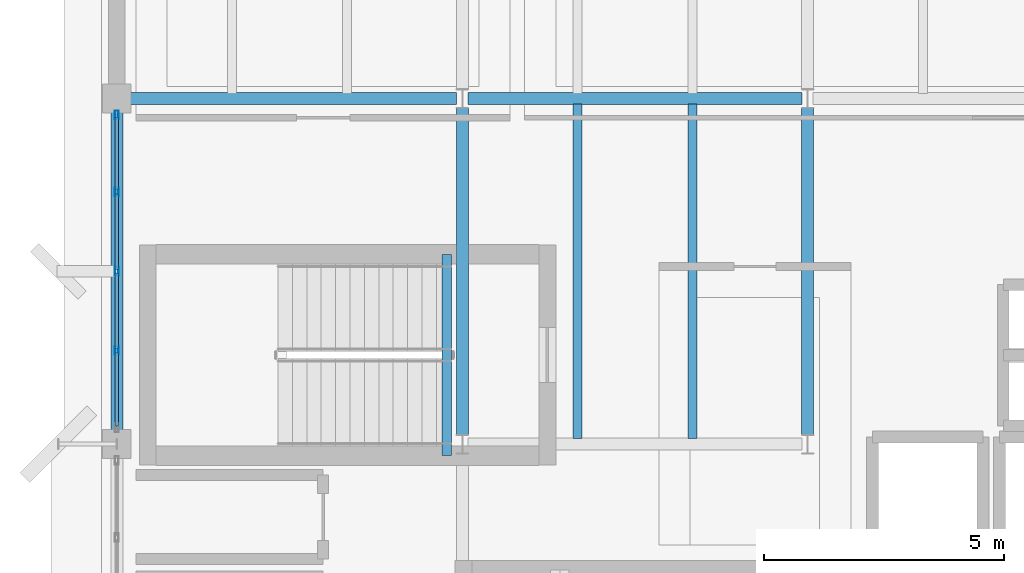
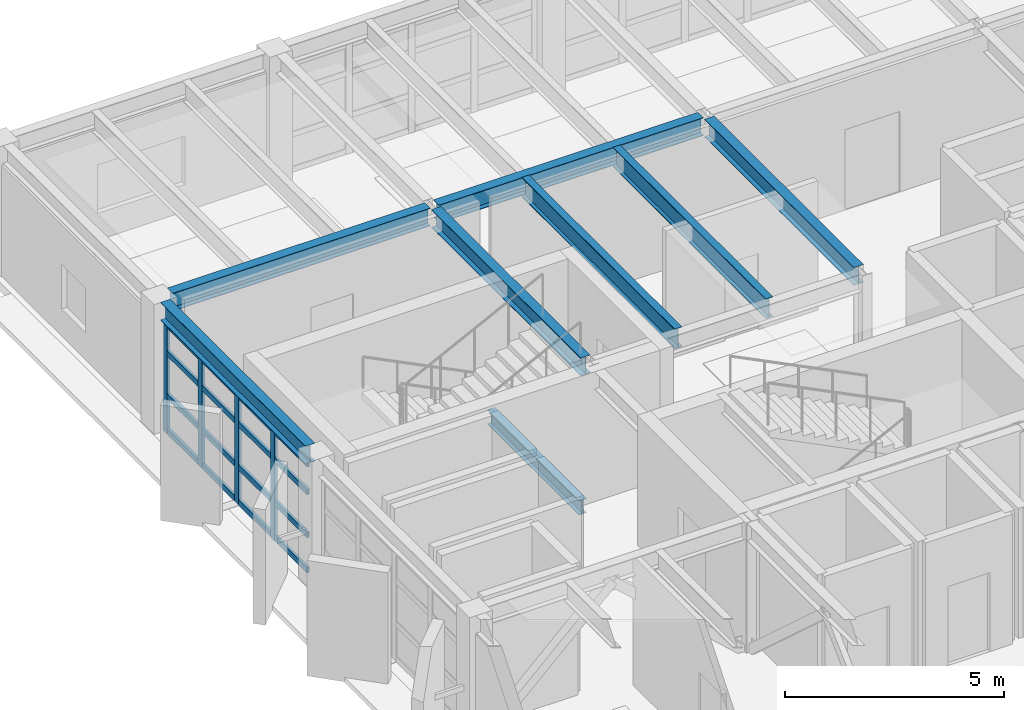
# One storey, part 7 of 19: 20 members, 8 beams, 1 element without a shape of its own.
"""IFC4 building model written with IfcOpenShell, lengths in metres."""

from ifc_helpers import new_model, si_unit, direction, frame, origin, origin_2d, place, context, subcontext, project, spatial, hollow_rectangle, i_section, extrude, material, layer, layer_set, material_profile, profile_set, type_object, element, aggregate, save


model = new_model("IFC4")

# Units and contexts
model_context = context("Model", 3, precision=1e-05, world=origin(), true_north=direction((0.0, 1.0)))
body_context = subcontext(model_context, "Body", "Model", "MODEL_VIEW")
ifc_project = project(units=[si_unit("LENGTHUNIT", "METRE"), si_unit("AREAUNIT", "SQUARE_METRE"), si_unit("VOLUMEUNIT", "CUBIC_METRE"), si_unit("PLANEANGLEUNIT", "RADIAN"), si_unit("MASSUNIT", "GRAM", prefix="KILO")], contexts=[model_context])

# Site, building, storey
site_placement = place(None, origin())
site = spatial("IfcSite", under=ifc_project, at=site_placement, CompositionType="ELEMENT")
building_placement = place(site_placement, origin())
building = spatial("IfcBuilding", under=site, at=building_placement, Name="Kandorven Conservatory and Botanical Research Centre", CompositionType="ELEMENT")
storey_placement = place(building_placement, frame((0.0, 0.0, 28.800048828125)))
storey = spatial("IfcBuildingStorey", under=building, at=storey_placement, Name="L07", CompositionType="ELEMENT", Elevation=28.800048828125)

# Beams
ifc_material_1 = material(Name="Steel S355 (IS 2062 E350)", Category="steel")
ifc_material_profile_1 = material_profile(ifc_material_1, i_section(OverallWidth=0.25, OverallDepth=0.5, WebThickness=0.010009765625, FlangeThickness=0.0146484375, at=origin_2d()))
ifc_profile_set_1 = profile_set([ifc_material_profile_1], Name="Steel S355 (IS 2062 E350)")
beam_type_1 = type_object("IfcBeamType", Name="Beam_FG-02", PredefinedType="USERDEFINED", material=ifc_profile_set_1)
beam_1_placement = place(storey_placement, frame((6.2900390625, 27.60009765625, 3.369873046875), z_axis=(1.0, 0.0, 0.0), x_axis=(0.0, 1.0, 0.0)))
element("IfcBeam", 1, at=beam_1_placement, inside=storey, type_object=beam_type_1, Name="Primary girder FG-02 TWR L07", ObjectType="GIRDER", PredefinedType="USERDEFINED", context=body_context, shape_type="SweptSolid", body=[
    extrude(i_section(OverallWidth=0.25, OverallDepth=0.5, WebThickness=0.010009765625, FlangeThickness=0.0146484375, at=origin_2d()), origin(), (0.0, 0.0, 1.0), 6.794921875),
])
beam_2_placement = place(storey_placement, frame((13.31494140625, 27.60009765625, 3.369873046875), z_axis=(1.0, 0.0, 0.0), x_axis=(0.0, 1.0, 0.0)))
element("IfcBeam", 2, at=beam_2_placement, inside=storey, type_object=beam_type_1, Name="Primary girder FG-02 TWR L07", ObjectType="GIRDER", PredefinedType="USERDEFINED", context=body_context, shape_type="SweptSolid", body=[
    extrude(i_section(OverallWidth=0.25, OverallDepth=0.5, WebThickness=0.010009765625, FlangeThickness=0.0146484375, at=origin_2d()), origin(), (0.0, 0.0, 1.0), 6.969970703125),
])
beam_3_placement = place(storey_placement, frame((6.0, 20.68994140625, 3.369873046875), z_axis=(0.0, 1.0, 0.0), x_axis=(-1.0, 0.0, 0.0)))
element("IfcBeam", 3, at=beam_3_placement, inside=storey, type_object=beam_type_1, Name="Primary girder FG-02 TWR L07", ObjectType="GIRDER", PredefinedType="USERDEFINED", context=body_context, shape_type="SweptSolid", body=[
    extrude(i_section(OverallWidth=0.25, OverallDepth=0.5, WebThickness=0.010009765625, FlangeThickness=0.0146484375, at=origin_2d()), origin(), (0.0, 0.0, 1.0), 6.6201171875),
])
for number, where, z_axis, x_axis, name in (
    (4, (13.199951171875, 20.590087890625, 3.369873046875), (0.0, 1.0, 0.0), (-1.0, 0.0, 0.0), "Primary girder FG-02 TWR L07"),
    (5, (20.39990234375, 20.590087890625, 3.369873046875), (0.0, 1.0, 0.0), (-1.0, 0.0, 0.0), "Primary girder FG-02 TWR L07"),
):
    element("IfcBeam", number, at=place(storey_placement, frame(where, z_axis=z_axis, x_axis=x_axis)), inside=storey, type_object=beam_type_1, Name=name, ObjectType="GIRDER", PredefinedType="USERDEFINED", context=body_context, shape_type="SweptSolid", body=[
        extrude(i_section(OverallWidth=0.25, OverallDepth=0.5, WebThickness=0.010009765625, FlangeThickness=0.0146484375, at=origin_2d()), origin(), (0.0, 0.0, 1.0), 6.81982421875),
    ])
ifc_material_2 = material(Name="Steel S355 (IS 2062 E350)", Category="steel")
ifc_material_profile_2 = material_profile(ifc_material_2, i_section(OverallWidth=0.199951171875, OverallDepth=0.39990234375, WebThickness=0.008544921875, FlangeThickness=0.012939453125, at=origin_2d()))
ifc_profile_set_2 = profile_set([ifc_material_profile_2], Name="Steel S355 (IS 2062 E350)")
beam_type_2 = type_object("IfcBeamType", Name="Beam_FG-03", PredefinedType="USERDEFINED", material=ifc_profile_set_2)
beam_4_placement = place(storey_placement, frame((12.8798828125, 24.35009765625, -0.199951171875), z_axis=(0.0, -1.0, 0.0), x_axis=(1.0, 0.0, 0.0)))
element("IfcBeam", 6, at=beam_4_placement, inside=storey, type_object=beam_type_2, Name="Stair well bottom trimmer girder FG-03 ST-T2 L07", ObjectType="GIRDER", PredefinedType="USERDEFINED", context=body_context, shape_type="SweptSolid", body=[
    extrude(i_section(OverallWidth=0.199951171875, OverallDepth=0.39990234375, WebThickness=0.008544921875, FlangeThickness=0.012939453125, at=origin_2d()), origin(), (0.0, 0.0, 1.0), 4.190185546875),
])
ifc_material_3 = material(Name="Steel S355 (IS 2062 E350)", Category="steel")
ifc_material_profile_3 = material_profile(ifc_material_3, i_section(OverallWidth=0.18994140625, OverallDepth=0.550048828125, WebThickness=0.01123046875, FlangeThickness=0.019287109375, at=origin_2d()))
ifc_profile_set_3 = profile_set([ifc_material_profile_3], Name="Steel S355 (IS 2062 E350)")
beam_type_3 = type_object("IfcBeamType", Name="Beam_SB-02", PredefinedType="BEAM", material=ifc_profile_set_3)
for number, where, z_axis, x_axis, name in (
    (7, (15.60009765625, 20.510009765625, 3.344970703125), (0.0, 1.0, 0.0), (-1.0, 0.0, 0.0), "Composite secondary beam SB-02 TWR L07"),
    (8, (18.0, 20.510009765625, 3.344970703125), (0.0, 1.0, 0.0), (-1.0, 0.0, 0.0), "Composite secondary beam SB-02 TWR L07"),
):
    element("IfcBeam", number, at=place(storey_placement, frame(where, z_axis=z_axis, x_axis=x_axis)), inside=storey, type_object=beam_type_3, Name=name, PredefinedType="BEAM", context=body_context, shape_type="SweptSolid", body=[
        extrude(i_section(OverallWidth=0.18994140625, OverallDepth=0.550048828125, WebThickness=0.01123046875, FlangeThickness=0.019287109375, at=origin_2d()), origin(), (0.0, 0.0, 1.0), 6.97998046875),
    ])

# Curtain wall, members
ifc_material_4 = material(Name="Bronze anodised thermally broken aluminium", Category="aluminium")
ifc_layer = layer(ifc_material_4, 0.179931640625)
ifc_layer_set = layer_set([ifc_layer], Name="Bronze anodised thermally broken aluminium")
curtain_wall_type = type_object("IfcCurtainWallType", Name="CW_Unitised", PredefinedType="USERDEFINED", material=ifc_layer_set)
curtain_wall_placement = place(storey_placement, origin())
curtain_wall = element("IfcCurtainWall", 9, at=curtain_wall_placement, inside=storey, type_object=curtain_wall_type, Name="Tower laboratory curtain wall CW-TWR-W-L07-3", ObjectType="UNITISED GLAZING", PredefinedType="USERDEFINED")
ifc_material_5 = material(Name="Bronze anodised thermally broken aluminium", Category="aluminium")
ifc_material_profile_4 = material_profile(ifc_material_5, hollow_rectangle(XDim=0.080078125, YDim=0.179931640625, WallThickness=0.006103515625, at=origin_2d()))
ifc_profile_set_4 = profile_set([ifc_material_profile_4], Name="Bronze anodised thermally broken aluminium")
member_type_1 = type_object("IfcMemberType", Name="CW_Mullion", PredefinedType="MULLION", material=ifc_profile_set_4)
member_1_placement = place(storey_placement, frame((6.0, 22.35009765625, 0.0), z_axis=(0.0, 0.0, 1.0), x_axis=(-1.0, 0.0, 0.0)))
member_1 = element("IfcMember", 10, at=member_1_placement, type_object=member_type_1, Name="CW-01 mullion 2", PredefinedType="MULLION", context=body_context, shape_type="SweptSolid", body=[
    extrude(hollow_rectangle(XDim=0.080078125, YDim=0.179931640625, WallThickness=0.006103515625, at=origin_2d()), origin(), (0.0, 0.0, 1.0), 3.099853515625),
])
member_2_placement = place(storey_placement, frame((6.0, 24.0, 0.0), z_axis=(0.0, 0.0, 1.0), x_axis=(-1.0, 0.0, 0.0)))
member_2 = element("IfcMember", 11, at=member_2_placement, type_object=member_type_1, Name="CW-01 mullion 3", PredefinedType="MULLION", context=body_context, shape_type="SweptSolid", body=[
    extrude(hollow_rectangle(XDim=0.080078125, YDim=0.179931640625, WallThickness=0.006103515625, at=origin_2d()), origin(), (0.0, 0.0, 1.0), 3.099853515625),
])
member_3_placement = place(storey_placement, frame((6.0, 25.64990234375, 0.0), z_axis=(0.0, 0.0, 1.0), x_axis=(-1.0, 0.0, 0.0)))
member_3 = element("IfcMember", 12, at=member_3_placement, type_object=member_type_1, Name="CW-01 mullion 4", PredefinedType="MULLION", context=body_context, shape_type="SweptSolid", body=[
    extrude(hollow_rectangle(XDim=0.080078125, YDim=0.179931640625, WallThickness=0.006103515625, at=origin_2d()), origin(), (0.0, 0.0, 1.0), 3.099853515625),
])
member_4_placement = place(storey_placement, frame((6.0, 27.260009765625, 0.0), z_axis=(0.0, 0.0, 1.0), x_axis=(-1.0, 0.0, 0.0)))
member_4 = element("IfcMember", 13, at=member_4_placement, type_object=member_type_1, Name="CW-01 mullion 5", PredefinedType="MULLION", context=body_context, shape_type="SweptSolid", body=[
    extrude(hollow_rectangle(XDim=0.080078125, YDim=0.179931640625, WallThickness=0.006103515625, at=origin_2d()), origin(), (0.0, 0.0, 1.0), 3.099853515625),
])
ifc_material_6 = material(Name="Bronze anodised thermally broken aluminium", Category="aluminium")
ifc_material_profile_5 = material_profile(ifc_material_6, hollow_rectangle(XDim=0.074951171875, YDim=0.14990234375, WallThickness=0.006103515625, at=origin_2d()))
ifc_profile_set_5 = profile_set([ifc_material_profile_5], Name="Bronze anodised thermally broken aluminium")
member_type_2 = type_object("IfcMemberType", Name="CW_Transom", PredefinedType="USERDEFINED", material=ifc_profile_set_5)
member_5_placement = place(storey_placement, frame((6.0, 20.780029296875, 0.074951171875), z_axis=(0.0, 1.0, 0.0), x_axis=(-1.0, 0.0, 0.0)))
member_5 = element("IfcMember", 14, at=member_5_placement, type_object=member_type_2, Name="CW-01 transom 1.1", ObjectType="TRANSOM", PredefinedType="USERDEFINED", context=body_context, shape_type="SweptSolid", body=[
    extrude(hollow_rectangle(XDim=0.074951171875, YDim=0.14990234375, WallThickness=0.006103515625, at=origin_2d()), origin(), (0.0, 0.0, 1.0), 1.530029296875),
])
member_6_placement = place(storey_placement, frame((6.0, 20.780029296875, 1.050048828125), z_axis=(0.0, 1.0, 0.0), x_axis=(-1.0, 0.0, 0.0)))
member_6 = element("IfcMember", 15, at=member_6_placement, type_object=member_type_2, Name="CW-01 transom 1.2", ObjectType="TRANSOM", PredefinedType="USERDEFINED", context=body_context, shape_type="SweptSolid", body=[
    extrude(hollow_rectangle(XDim=0.074951171875, YDim=0.14990234375, WallThickness=0.006103515625, at=origin_2d()), origin(), (0.0, 0.0, 1.0), 1.530029296875),
])
member_7_placement = place(storey_placement, frame((6.0, 20.780029296875, 2.25), z_axis=(0.0, 1.0, 0.0), x_axis=(-1.0, 0.0, 0.0)))
member_7 = element("IfcMember", 16, at=member_7_placement, type_object=member_type_2, Name="CW-01 transom 1.3", ObjectType="TRANSOM", PredefinedType="USERDEFINED", context=body_context, shape_type="SweptSolid", body=[
    extrude(hollow_rectangle(XDim=0.074951171875, YDim=0.14990234375, WallThickness=0.006103515625, at=origin_2d()), origin(), (0.0, 0.0, 1.0), 1.530029296875),
])
member_8_placement = place(storey_placement, frame((6.0, 20.780029296875, 3.02490234375), z_axis=(0.0, 1.0, 0.0), x_axis=(-1.0, 0.0, 0.0)))
member_8 = element("IfcMember", 17, at=member_8_placement, type_object=member_type_2, Name="CW-01 transom 1.4", ObjectType="TRANSOM", PredefinedType="USERDEFINED", context=body_context, shape_type="SweptSolid", body=[
    extrude(hollow_rectangle(XDim=0.074951171875, YDim=0.14990234375, WallThickness=0.006103515625, at=origin_2d()), origin(), (0.0, 0.0, 1.0), 1.530029296875),
])
member_9_placement = place(storey_placement, frame((6.0, 22.389892578125, 0.074951171875), z_axis=(0.0, 1.0, 0.0), x_axis=(-1.0, 0.0, 0.0)))
member_9 = element("IfcMember", 18, at=member_9_placement, type_object=member_type_2, Name="CW-01 transom 2.1", ObjectType="TRANSOM", PredefinedType="USERDEFINED", context=body_context, shape_type="SweptSolid", body=[
    extrude(hollow_rectangle(XDim=0.074951171875, YDim=0.14990234375, WallThickness=0.006103515625, at=origin_2d()), origin(), (0.0, 0.0, 1.0), 1.570068359375),
])
member_10_placement = place(storey_placement, frame((6.0, 22.389892578125, 1.050048828125), z_axis=(0.0, 1.0, 0.0), x_axis=(-1.0, 0.0, 0.0)))
member_10 = element("IfcMember", 19, at=member_10_placement, type_object=member_type_2, Name="CW-01 transom 2.2", ObjectType="TRANSOM", PredefinedType="USERDEFINED", context=body_context, shape_type="SweptSolid", body=[
    extrude(hollow_rectangle(XDim=0.074951171875, YDim=0.14990234375, WallThickness=0.006103515625, at=origin_2d()), origin(), (0.0, 0.0, 1.0), 1.570068359375),
])
member_11_placement = place(storey_placement, frame((6.0, 22.389892578125, 2.25), z_axis=(0.0, 1.0, 0.0), x_axis=(-1.0, 0.0, 0.0)))
member_11 = element("IfcMember", 20, at=member_11_placement, type_object=member_type_2, Name="CW-01 transom 2.3", ObjectType="TRANSOM", PredefinedType="USERDEFINED", context=body_context, shape_type="SweptSolid", body=[
    extrude(hollow_rectangle(XDim=0.074951171875, YDim=0.14990234375, WallThickness=0.006103515625, at=origin_2d()), origin(), (0.0, 0.0, 1.0), 1.570068359375),
])
member_12_placement = place(storey_placement, frame((6.0, 22.389892578125, 3.02490234375), z_axis=(0.0, 1.0, 0.0), x_axis=(-1.0, 0.0, 0.0)))
member_12 = element("IfcMember", 21, at=member_12_placement, type_object=member_type_2, Name="CW-01 transom 2.4", ObjectType="TRANSOM", PredefinedType="USERDEFINED", context=body_context, shape_type="SweptSolid", body=[
    extrude(hollow_rectangle(XDim=0.074951171875, YDim=0.14990234375, WallThickness=0.006103515625, at=origin_2d()), origin(), (0.0, 0.0, 1.0), 1.570068359375),
])
member_13_placement = place(storey_placement, frame((6.0, 24.0400390625, 0.074951171875), z_axis=(0.0, 1.0, 0.0), x_axis=(-1.0, 0.0, 0.0)))
member_13 = element("IfcMember", 22, at=member_13_placement, type_object=member_type_2, Name="CW-01 transom 3.1", ObjectType="TRANSOM", PredefinedType="USERDEFINED", context=body_context, shape_type="SweptSolid", body=[
    extrude(hollow_rectangle(XDim=0.074951171875, YDim=0.14990234375, WallThickness=0.006103515625, at=origin_2d()), origin(), (0.0, 0.0, 1.0), 1.570068359375),
])
member_14_placement = place(storey_placement, frame((6.0, 24.0400390625, 1.050048828125), z_axis=(0.0, 1.0, 0.0), x_axis=(-1.0, 0.0, 0.0)))
member_14 = element("IfcMember", 23, at=member_14_placement, type_object=member_type_2, Name="CW-01 transom 3.2", ObjectType="TRANSOM", PredefinedType="USERDEFINED", context=body_context, shape_type="SweptSolid", body=[
    extrude(hollow_rectangle(XDim=0.074951171875, YDim=0.14990234375, WallThickness=0.006103515625, at=origin_2d()), origin(), (0.0, 0.0, 1.0), 1.570068359375),
])
member_15_placement = place(storey_placement, frame((6.0, 24.0400390625, 2.25), z_axis=(0.0, 1.0, 0.0), x_axis=(-1.0, 0.0, 0.0)))
member_15 = element("IfcMember", 24, at=member_15_placement, type_object=member_type_2, Name="CW-01 transom 3.3", ObjectType="TRANSOM", PredefinedType="USERDEFINED", context=body_context, shape_type="SweptSolid", body=[
    extrude(hollow_rectangle(XDim=0.074951171875, YDim=0.14990234375, WallThickness=0.006103515625, at=origin_2d()), origin(), (0.0, 0.0, 1.0), 1.570068359375),
])
member_16_placement = place(storey_placement, frame((6.0, 24.0400390625, 3.02490234375), z_axis=(0.0, 1.0, 0.0), x_axis=(-1.0, 0.0, 0.0)))
member_16 = element("IfcMember", 25, at=member_16_placement, type_object=member_type_2, Name="CW-01 transom 3.4", ObjectType="TRANSOM", PredefinedType="USERDEFINED", context=body_context, shape_type="SweptSolid", body=[
    extrude(hollow_rectangle(XDim=0.074951171875, YDim=0.14990234375, WallThickness=0.006103515625, at=origin_2d()), origin(), (0.0, 0.0, 1.0), 1.570068359375),
])
member_17_placement = place(storey_placement, frame((6.0, 25.68994140625, 0.074951171875), z_axis=(0.0, 1.0, 0.0), x_axis=(-1.0, 0.0, 0.0)))
member_17 = element("IfcMember", 26, at=member_17_placement, type_object=member_type_2, Name="CW-01 transom 4.1", ObjectType="TRANSOM", PredefinedType="USERDEFINED", context=body_context, shape_type="SweptSolid", body=[
    extrude(hollow_rectangle(XDim=0.074951171875, YDim=0.14990234375, WallThickness=0.006103515625, at=origin_2d()), origin(), (0.0, 0.0, 1.0), 1.530029296875),
])
member_18_placement = place(storey_placement, frame((6.0, 25.68994140625, 1.050048828125), z_axis=(0.0, 1.0, 0.0), x_axis=(-1.0, 0.0, 0.0)))
member_18 = element("IfcMember", 27, at=member_18_placement, type_object=member_type_2, Name="CW-01 transom 4.2", ObjectType="TRANSOM", PredefinedType="USERDEFINED", context=body_context, shape_type="SweptSolid", body=[
    extrude(hollow_rectangle(XDim=0.074951171875, YDim=0.14990234375, WallThickness=0.006103515625, at=origin_2d()), origin(), (0.0, 0.0, 1.0), 1.530029296875),
])
member_19_placement = place(storey_placement, frame((6.0, 25.68994140625, 2.25), z_axis=(0.0, 1.0, 0.0), x_axis=(-1.0, 0.0, 0.0)))
member_19 = element("IfcMember", 28, at=member_19_placement, type_object=member_type_2, Name="CW-01 transom 4.3", ObjectType="TRANSOM", PredefinedType="USERDEFINED", context=body_context, shape_type="SweptSolid", body=[
    extrude(hollow_rectangle(XDim=0.074951171875, YDim=0.14990234375, WallThickness=0.006103515625, at=origin_2d()), origin(), (0.0, 0.0, 1.0), 1.530029296875),
])
member_20_placement = place(storey_placement, frame((6.0, 25.68994140625, 3.02490234375), z_axis=(0.0, 1.0, 0.0), x_axis=(-1.0, 0.0, 0.0)))
member_20 = element("IfcMember", 29, at=member_20_placement, type_object=member_type_2, Name="CW-01 transom 4.4", ObjectType="TRANSOM", PredefinedType="USERDEFINED", context=body_context, shape_type="SweptSolid", body=[
    extrude(hollow_rectangle(XDim=0.074951171875, YDim=0.14990234375, WallThickness=0.006103515625, at=origin_2d()), origin(), (0.0, 0.0, 1.0), 1.530029296875),
])
aggregate(curtain_wall, [member_1, member_2, member_3, member_4, member_5, member_6, member_7, member_8, member_9, member_10, member_11, member_12, member_13, member_14, member_15, member_16, member_17, member_18, member_19, member_20])

save(model, "model.ifc")
